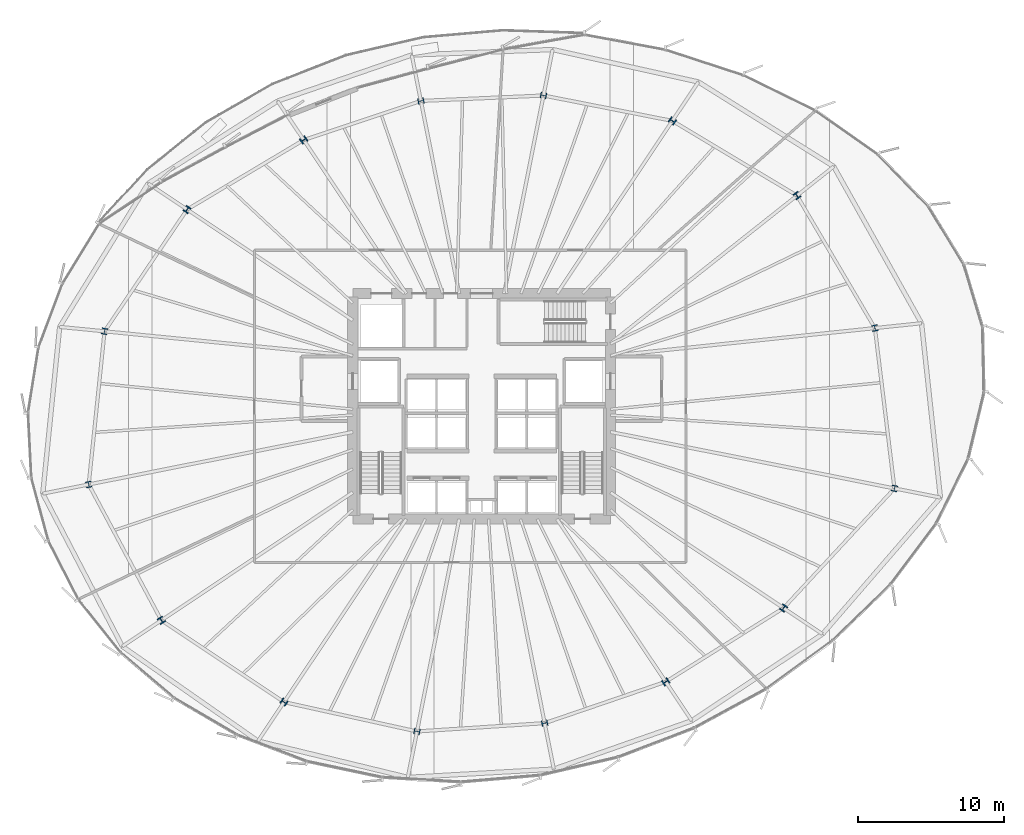
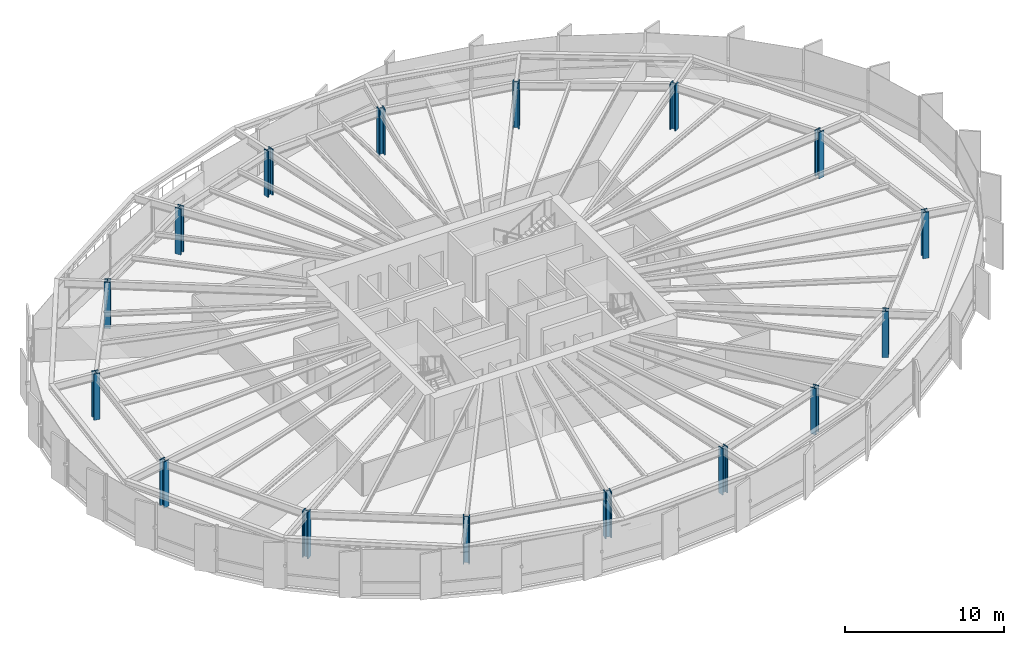
# One storey, part 1 of 38: 16 columns.
"""IFC4 building model written with IfcOpenShell, lengths in metres."""

from ifc_helpers import new_model, si_unit, direction, frame, origin, origin_2d, place, context, subcontext, project, spatial, i_section, extrude, source, transform, mapped, material, material_profile, profile_set, type_object, element, save


model = new_model("IFC4")

# Units and contexts
model_context = context("Model", 3, precision=1e-05, world=origin(), true_north=direction((0.0, 1.0)))
body_context = subcontext(model_context, "Body", "Model", "MODEL_VIEW")
ifc_project = project(units=[si_unit("LENGTHUNIT", "METRE"), si_unit("AREAUNIT", "SQUARE_METRE"), si_unit("VOLUMEUNIT", "CUBIC_METRE"), si_unit("PLANEANGLEUNIT", "RADIAN"), si_unit("MASSUNIT", "GRAM", prefix="KILO"), si_unit("THERMODYNAMICTEMPERATUREUNIT", "KELVIN")], contexts=[model_context])

# Site, building, storey
site_placement = place(None, origin())
site = spatial("IfcSite", under=ifc_project, at=site_placement, CompositionType="ELEMENT")
building_placement = place(site_placement, origin())
building = spatial("IfcBuilding", under=site, at=building_placement, Name="Kethvar Cultural Tower", CompositionType="ELEMENT")
storey_placement = place(building_placement, frame((0.0, 0.0, 67.60009765625)))
storey = spatial("IfcBuildingStorey", under=building, at=storey_placement, Name="L16", CompositionType="ELEMENT", Elevation=67.60009765625)

# Columns
ifc_material = material(Name="Steel S460M", Category="steel")
ifc_material_profile = material_profile(ifc_material, i_section(OverallWidth=0.412109375, OverallDepth=0.430908203125, WebThickness=0.0419921875, FlangeThickness=0.068115234375, FilletRadius=0.014892578125, at=origin_2d()), Name="Steel S460M — HD400x900")
ifc_profile_set = profile_set([ifc_material_profile], Name="Steel S460M — HD400x900")
column_type = type_object("IfcColumnType", Name="COL-HD900", PredefinedType="COLUMN", material=ifc_profile_set)
shared_shape = source(origin(), body_context, "Body", "SweptSolid", [
    extrude(i_section(OverallWidth=0.412109375, OverallDepth=0.430908203125, WebThickness=0.0419921875, FlangeThickness=0.068115234375, FilletRadius=0.014892578125, at=origin_2d()), origin(), (0.0, 0.0, 1.0), 3.5498046875),
])
for number, where, z_axis, x_axis, name in (
    (1, (73.65673828125, 33.14208984375, 0.0), (0.0, 0.0, 1.0), (0.980785280403, 0.195090322016, 0.0), "L16 Mega-Column MC-01"),
    (2, (68.33642578125, 42.190185546875, 0.0), (0.0, 0.0, 1.0), (0.831469612303, 0.55557023302, 0.0), "L16 Mega-Column MC-02"),
    (3, (59.824951171875, 47.293212890625, 0.0), (0.0, 0.0, 1.0), (0.55557023302, 0.831469612303, 0.0), "L16 Mega-Column MC-03"),
    (4, (51.022216796875, 49.02587890625, 0.0), (0.0, 0.0, 1.0), (0.195090322016, 0.980785280403, 0.0), "L16 Mega-Column MC-04"),
    (5, (42.651611328125, 48.65576171875, 0.0), (0.0, 0.0, 1.0), (-0.195090322016, 0.980785280403, 0.0), "L16 Mega-Column MC-05"),
    (6, (34.64599609375, 45.98974609375, 0.0), (0.0, 0.0, 1.0), (-0.55557023302, 0.831469612303, 0.0), "L16 Mega-Column MC-06"),
    (7, (26.6845703125, 41.24072265625, 0.0), (0.0, 0.0, 1.0), (-0.831469612303, 0.55557023302, 0.0), "L16 Mega-Column MC-07"),
    (8, (21.047119140625, 32.922607421875, 0.0), (0.0, 0.0, 1.0), (-0.980785280403, 0.195090322016, 0.0), "L16 Mega-Column MC-08"),
    (9, (19.9658203125, 22.46240234375, 0.0), (0.0, 0.0, 1.0), (-0.980785280403, -0.195090322016, 0.0), "L16 Mega-Column MC-09"),
    (10, (24.9248046875, 13.183349609375, 0.0), (0.0, 0.0, 1.0), (-0.831469612303, -0.55557023302, 0.0), "L16 Mega-Column MC-10"),
    (11, (33.302001953125, 7.598876953125, 0.0), (0.0, 0.0, 1.0), (-0.55557023302, -0.831469612303, 0.0), "L16 Mega-Column MC-11"),
    (12, (42.38330078125, 5.59619140625, 0.0), (0.0, 0.0, 1.0), (-0.195090322016, -0.980785280403, 0.0), "L16 Mega-Column MC-12"),
    (13, (51.10400390625, 6.16259765625, 0.0), (0.0, 0.0, 1.0), (0.195090322016, -0.980785280403, 0.0), "L16 Mega-Column MC-13"),
    (14, (59.370361328125, 8.987060546875, 0.0), (0.0, 0.0, 1.0), (0.55557023302, -0.831469612303, 0.0), "L16 Mega-Column MC-14"),
    (15, (67.41845703125, 14.023193359375, 0.0), (0.0, 0.0, 1.0), (0.831469612303, -0.55557023302, 0.0), "L16 Mega-Column MC-15"),
    (16, (74.9912109375, 22.1923828125, 0.0), (0.0, 0.0, 1.0), (0.980785280403, -0.195090322016, 0.0), "L16 Mega-Column MC-16"),
):
    element("IfcColumn", number, at=place(storey_placement, frame(where, z_axis=z_axis, x_axis=x_axis)), inside=storey, type_object=column_type, Name=name, PredefinedType="COLUMN", context=body_context, shape_type="MappedRepresentation", body=[
        mapped(shared_shape, transform((0.0, 0.0, 0.0), scale=1.0)),
    ])

save(model, "model.ifc")
